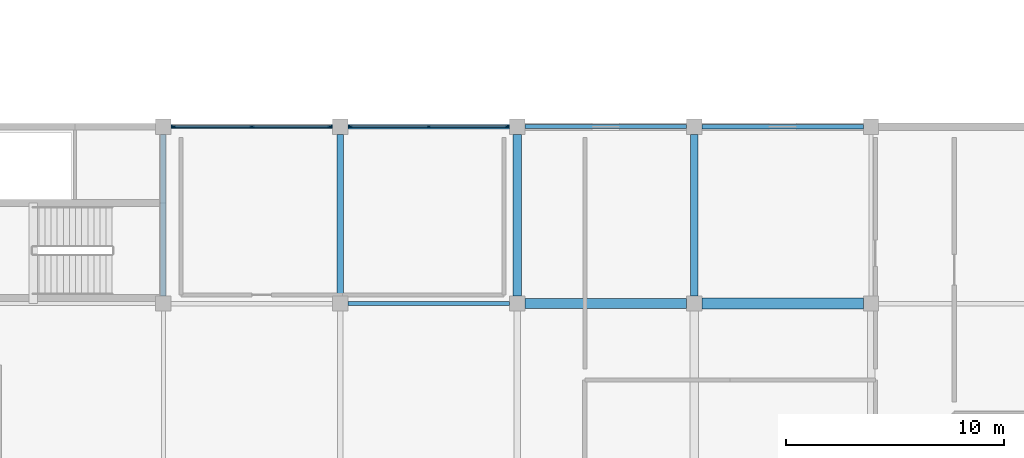
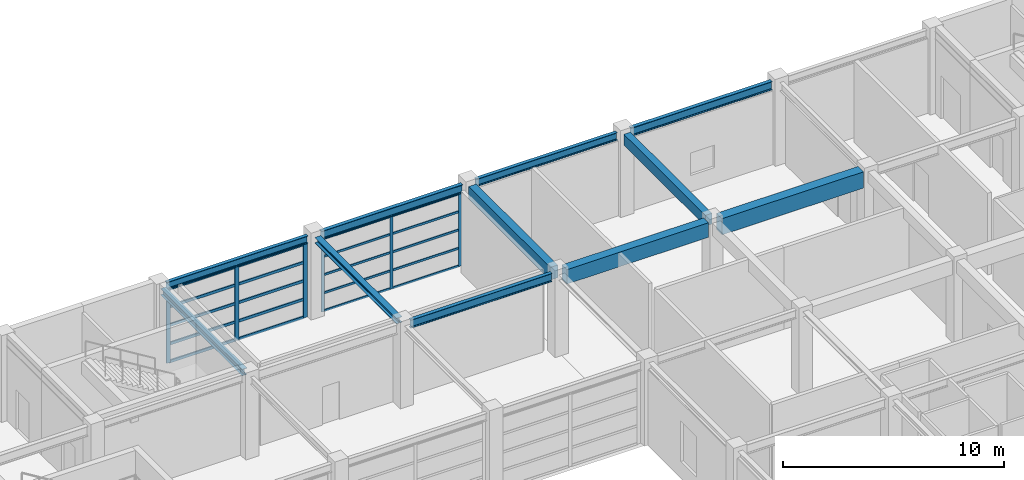
# One storey, part 34 of 58: 26 members, 11 beams, 2 elements without a shape of their own.
"""IFC4 building model written with IfcOpenShell, lengths in metres."""

from ifc_helpers import new_model, si_unit, direction, frame, origin, origin_2d, place, context, subcontext, project, spatial, rectangle, i_section, extrude, material, material_profile, profile_set, type_object, element, aggregate, save


model = new_model("IFC4")

# Units and contexts
model_context = context("Model", 3, precision=1e-05, world=origin(), true_north=direction((0.0, 1.0)))
body_context = subcontext(model_context, "Body", "Model", "MODEL_VIEW")
ifc_project = project(units=[si_unit("LENGTHUNIT", "METRE"), si_unit("AREAUNIT", "SQUARE_METRE"), si_unit("VOLUMEUNIT", "CUBIC_METRE"), si_unit("PLANEANGLEUNIT", "RADIAN"), si_unit("MASSUNIT", "GRAM", prefix="KILO")], contexts=[model_context])

# Site, building, storey
site_placement = place(None, origin())
site = spatial("IfcSite", under=ifc_project, at=site_placement, CompositionType="ELEMENT")
building_placement = place(site_placement, origin())
building = spatial("IfcBuilding", under=site, at=building_placement, Name="Parian Resonance Hall", CompositionType="ELEMENT")
storey_placement = place(building_placement, frame((0.0, 0.0, 10.199951171875)))
storey = spatial("IfcBuildingStorey", under=building, at=storey_placement, Name="L02", CompositionType="ELEMENT", Elevation=10.199951171875)

# Beams
ifc_material_1 = material(Name="Concrete C40/50", Category="concrete")
ifc_material_profile_1 = material_profile(ifc_material_1, rectangle(XDim=0.35009765625, YDim=0.60009765625, at=origin_2d()), Name="RC-BM-350x600")
ifc_profile_set_1 = profile_set([ifc_material_profile_1], Name="Concrete C40/50")
beam_type_1 = type_object("IfcBeamType", Name="BM-RC350x600", PredefinedType="BEAM", material=ifc_profile_set_1)
beam_1_placement = place(storey_placement, frame((121.5, 81.35009765625, 4.25), z_axis=(0.0, 1.0, 0.0), x_axis=(-1.0, 0.0, 0.0)))
element("IfcBeam", 1, at=beam_1_placement, inside=storey, type_object=beam_type_1, Name="GY-L02-0796", PredefinedType="BEAM", context=body_context, shape_type="SweptSolid", body=[
    extrude(rectangle(XDim=0.35009765625, YDim=0.60009765625, at=origin_2d()), origin(), (0.0, 0.0, 1.0), 7.39990234375),
])
ifc_material_2 = material(Name="Concrete C40/50", Category="concrete")
ifc_material_profile_2 = material_profile(ifc_material_2, rectangle(XDim=0.39990234375, YDim=0.699951171875, at=origin_2d()), Name="RC-BM-400x700")
ifc_profile_set_2 = profile_set([ifc_material_profile_2], Name="Concrete C40/50")
beam_type_2 = type_object("IfcBeamType", Name="BM-RC400x700", PredefinedType="BEAM", material=ifc_profile_set_2)
beam_2_placement = place(storey_placement, frame((113.39990234375, 81.35009765625, 4.16015625), z_axis=(0.0, 1.0, 0.0), x_axis=(-1.0, 0.0, 0.0)))
element("IfcBeam", 2, at=beam_2_placement, inside=storey, type_object=beam_type_2, Name="GY-L02-0787", PredefinedType="BEAM", context=body_context, shape_type="SweptSolid", body=[
    extrude(rectangle(XDim=0.39990234375, YDim=0.699951171875, at=origin_2d()), origin(), (0.0, 0.0, 1.0), 7.39990234375),
])
ifc_material_3 = material(Name="Concrete C40/50", Category="concrete")
ifc_material_profile_3 = material_profile(ifc_material_3, rectangle(XDim=0.449951171875, YDim=0.800048828125, at=origin_2d()), Name="RC-BM-450x800")
ifc_profile_set_3 = profile_set([ifc_material_profile_3], Name="Concrete C40/50")
beam_type_3 = type_object("IfcBeamType", Name="BM-RC450x800", PredefinedType="USERDEFINED", material=ifc_profile_set_3)
beam_3_placement = place(storey_placement, frame((113.75, 81.0, 4.150146484375), z_axis=(1.0, 0.0, 0.0), x_axis=(0.0, 1.0, 0.0)))
element("IfcBeam", 3, at=beam_3_placement, inside=storey, type_object=beam_type_3, Name="GX-L02-0720", ObjectType="GIRDER", PredefinedType="USERDEFINED", context=body_context, shape_type="SweptSolid", body=[
    extrude(rectangle(XDim=0.449951171875, YDim=0.800048828125, at=origin_2d()), origin(), (0.0, 0.0, 1.0), 7.39990234375),
])
ifc_material_4 = material(Name="Concrete C40/50", Category="concrete")
ifc_material_profile_4 = material_profile(ifc_material_4, rectangle(XDim=0.5, YDim=0.89990234375, at=origin_2d()), Name="RC-BM-500x900")
ifc_profile_set_4 = profile_set([ifc_material_profile_4], Name="Concrete C40/50")
beam_type_4 = type_object("IfcBeamType", Name="BM-RC500x900", PredefinedType="USERDEFINED", material=ifc_profile_set_4)
beam_4_placement = place(storey_placement, frame((121.85009765625, 81.0, 4.10009765625), z_axis=(1.0, 0.0, 0.0), x_axis=(0.0, 1.0, 0.0)))
element("IfcBeam", 4, at=beam_4_placement, inside=storey, type_object=beam_type_4, Name="GX-L02-0726", ObjectType="GIRDER", PredefinedType="USERDEFINED", context=body_context, shape_type="SweptSolid", body=[
    extrude(rectangle(XDim=0.5, YDim=0.89990234375, at=origin_2d()), origin(), (0.0, 0.0, 1.0), 7.39990234375),
])
ifc_material_5 = material(Name="Steel S355", Category="steel")
ifc_material_profile_5 = material_profile(ifc_material_5, i_section(OverallWidth=0.304931640625, OverallDepth=0.30810546875, WebThickness=0.010009765625, FlangeThickness=0.015380859375, FilletRadius=0.01513671875, at=origin_2d()), Name="W310x97")
ifc_profile_set_5 = profile_set([ifc_material_profile_5], Name="Steel S355")
beam_type_5 = type_object("IfcBeamType", Name="BM-W310x97", PredefinedType="BEAM", material=ifc_profile_set_5)
beam_5_placement = place(storey_placement, frame((105.300048828125, 81.35009765625, 4.35595703125), z_axis=(0.0, 1.0, 0.0), x_axis=(-1.0, 0.0, 0.0)))
element("IfcBeam", 5, at=beam_5_placement, inside=storey, type_object=beam_type_5, Name="GY-L02-0776", PredefinedType="BEAM", context=body_context, shape_type="SweptSolid", body=[
    extrude(i_section(OverallWidth=0.304931640625, OverallDepth=0.30810546875, WebThickness=0.010009765625, FlangeThickness=0.015380859375, FilletRadius=0.01513671875, at=origin_2d()), origin(), (0.0, 0.0, 1.0), 7.39990234375),
])
ifc_material_6 = material(Name="Steel S355", Category="steel")
ifc_material_profile_6 = material_profile(ifc_material_6, i_section(OverallWidth=0.2548828125, OverallDepth=0.35693359375, WebThickness=0.010498046875, FlangeThickness=0.018310546875, FilletRadius=0.01513671875, at=origin_2d()), Name="W360x101")
ifc_profile_set_6 = profile_set([ifc_material_profile_6], Name="Steel S355")
beam_type_6 = type_object("IfcBeamType", Name="BM-W360x101", PredefinedType="SPANDREL", material=ifc_profile_set_6)
beam_6_placement = place(storey_placement, frame((97.199951171875, 81.35009765625, 4.33154296875), z_axis=(0.0, 1.0, 0.0), x_axis=(-1.0, 0.0, 0.0)))
element("IfcBeam", 6, at=beam_6_placement, inside=storey, type_object=beam_type_6, Name="GY-L02-0771", PredefinedType="SPANDREL", context=body_context, shape_type="SweptSolid", body=[
    extrude(i_section(OverallWidth=0.2548828125, OverallDepth=0.35693359375, WebThickness=0.010498046875, FlangeThickness=0.018310546875, FilletRadius=0.01513671875, at=origin_2d()), origin(), (0.0, 0.0, 1.0), 7.39990234375),
])
ifc_material_7 = material(Name="Steel S355", Category="steel")
ifc_material_profile_7 = material_profile(ifc_material_7, i_section(OverallWidth=0.180908203125, OverallDepth=0.4169921875, WebThickness=0.010986328125, FlangeThickness=0.018310546875, FilletRadius=0.01513671875, at=origin_2d()), Name="W410x85")
ifc_profile_set_7 = profile_set([ifc_material_profile_7], Name="Steel S355")
beam_type_7 = type_object("IfcBeamType", Name="BM-W410x85", PredefinedType="SPANDREL", material=ifc_profile_set_7)
for number, where, z_axis, x_axis, name in (
    (7, (97.550048828125, 89.10009765625, 4.301513671875), (1.0, 0.0, 0.0), (0.0, 1.0, 0.0), "GX-L02-0704"),
    (8, (113.75, 89.10009765625, 4.341552734375), (1.0, 0.0, 0.0), (0.0, 1.0, 0.0), "GX-L02-0721"),
):
    element("IfcBeam", number, at=place(storey_placement, frame(where, z_axis=z_axis, x_axis=x_axis)), inside=storey, type_object=beam_type_7, Name=name, PredefinedType="SPANDREL", context=body_context, shape_type="SweptSolid", body=[
        extrude(i_section(OverallWidth=0.180908203125, OverallDepth=0.4169921875, WebThickness=0.010986328125, FlangeThickness=0.018310546875, FilletRadius=0.01513671875, at=origin_2d()), origin(), (0.0, 0.0, 1.0), 7.39990234375),
    ])
ifc_material_8 = material(Name="Steel S355", Category="steel")
ifc_material_profile_8 = material_profile(ifc_material_8, i_section(OverallWidth=0.194091796875, OverallDepth=0.468994140625, WebThickness=0.0126953125, FlangeThickness=0.0205078125, FilletRadius=0.01513671875, at=origin_2d()), Name="W460x106")
ifc_profile_set_8 = profile_set([ifc_material_profile_8], Name="Steel S355")
beam_type_8 = type_object("IfcBeamType", Name="BM-W460x106", PredefinedType="SPANDREL", material=ifc_profile_set_8)
beam_7_placement = place(storey_placement, frame((105.64990234375, 89.10009765625, 4.275634765625), z_axis=(1.0, 0.0, 0.0), x_axis=(0.0, 1.0, 0.0)))
element("IfcBeam", 9, at=beam_7_placement, inside=storey, type_object=beam_type_8, Name="GX-L02-0711", PredefinedType="SPANDREL", context=body_context, shape_type="SweptSolid", body=[
    extrude(i_section(OverallWidth=0.194091796875, OverallDepth=0.468994140625, WebThickness=0.0126953125, FlangeThickness=0.0205078125, FilletRadius=0.01513671875, at=origin_2d()), origin(), (0.0, 0.0, 1.0), 7.400146484375),
])
beam_8_placement = place(storey_placement, frame((121.85009765625, 89.10009765625, 4.3154296875), z_axis=(1.0, 0.0, 0.0), x_axis=(0.0, 1.0, 0.0)))
element("IfcBeam", 10, at=beam_8_placement, inside=storey, type_object=beam_type_8, Name="GX-L02-0727", PredefinedType="SPANDREL", context=body_context, shape_type="SweptSolid", body=[
    extrude(i_section(OverallWidth=0.194091796875, OverallDepth=0.468994140625, WebThickness=0.0126953125, FlangeThickness=0.0205078125, FilletRadius=0.01513671875, at=origin_2d()), origin(), (0.0, 0.0, 1.0), 7.39990234375),
])
ifc_material_9 = material(Name="Steel S355", Category="steel")
ifc_material_profile_9 = material_profile(ifc_material_9, i_section(OverallWidth=0.19091796875, OverallDepth=0.4599609375, WebThickness=0.010009765625, FlangeThickness=0.01611328125, FilletRadius=0.01513671875, at=origin_2d()), Name="W460x82")
ifc_profile_set_9 = profile_set([ifc_material_profile_9], Name="Steel S355")
beam_type_9 = type_object("IfcBeamType", Name="BM-W460x82", PredefinedType="BEAM", material=ifc_profile_set_9)
beam_9_placement = place(storey_placement, frame((105.64990234375, 81.0, 4.280029296875), z_axis=(1.0, 0.0, 0.0), x_axis=(0.0, 1.0, 0.0)))
element("IfcBeam", 11, at=beam_9_placement, inside=storey, type_object=beam_type_9, Name="GX-L02-0710", PredefinedType="BEAM", context=body_context, shape_type="SweptSolid", body=[
    extrude(i_section(OverallWidth=0.19091796875, OverallDepth=0.4599609375, WebThickness=0.010009765625, FlangeThickness=0.01611328125, FilletRadius=0.01513671875, at=origin_2d()), origin(), (0.0, 0.0, 1.0), 7.400146484375),
])

# Curtain wall, members
ifc_material_10 = material(Name="Bronze-anodised aluminium frame", Category="aluminium")
curtain_wall_type_1 = type_object("IfcCurtainWallType", Name="CW-SYS-03", PredefinedType="NOTDEFINED", material=ifc_material_10)
curtain_wall_1_placement = place(storey_placement, origin())
curtain_wall_1 = element("IfcCurtainWall", 12, at=curtain_wall_1_placement, inside=storey, type_object=curtain_wall_type_1, Name="Curtain wall CW-L02-105", PredefinedType="NOTDEFINED")
ifc_material_11 = material(Name="Bronze-anodised aluminium frame", Category="aluminium")
ifc_material_profile_10 = material_profile(ifc_material_11, rectangle(XDim=0.06494140625, YDim=0.159912109375, at=origin_2d()), Name="CWM-65x160")
ifc_profile_set_10 = profile_set([ifc_material_profile_10], Name="Bronze-anodised aluminium frame")
member_type_1 = type_object("IfcMemberType", Name="CWM-65x160", PredefinedType="MULLION", material=ifc_profile_set_10)
member_1_placement = place(storey_placement, frame((105.762451171875, 89.10009765625, -0.008056640625), z_axis=(0.0, 0.0, 1.0), x_axis=(0.0, 1.0, 0.0)))
member_1 = element("IfcMember", 13, at=member_1_placement, type_object=member_type_1, Name="CW-03 mullion 1", PredefinedType="MULLION", context=body_context, shape_type="SweptSolid", body=[
    extrude(rectangle(XDim=0.06494140625, YDim=0.159912109375, at=origin_2d()), origin(), (0.0, 0.0, 1.0), 4.05322265625),
])
member_2_placement = place(storey_placement, frame((109.35009765625, 89.10009765625, -0.008056640625), z_axis=(0.0, 0.0, 1.0), x_axis=(0.0, 1.0, 0.0)))
member_2 = element("IfcMember", 14, at=member_2_placement, type_object=member_type_1, Name="CW-03 mullion 2", PredefinedType="MULLION", context=body_context, shape_type="SweptSolid", body=[
    extrude(rectangle(XDim=0.06494140625, YDim=0.159912109375, at=origin_2d()), origin(), (0.0, 0.0, 1.0), 4.05322265625),
])
member_3_placement = place(storey_placement, frame((112.9375, 89.10009765625, -0.008056640625), z_axis=(0.0, 0.0, 1.0), x_axis=(0.0, 1.0, 0.0)))
member_3 = element("IfcMember", 15, at=member_3_placement, type_object=member_type_1, Name="CW-03 mullion 3", PredefinedType="MULLION", context=body_context, shape_type="SweptSolid", body=[
    extrude(rectangle(XDim=0.06494140625, YDim=0.159912109375, at=origin_2d()), origin(), (0.0, 0.0, 1.0), 4.05322265625),
])

ifc_material_12 = material(Name="Bronze-anodised aluminium frame", Category="aluminium")
curtain_wall_type_2 = type_object("IfcCurtainWallType", Name="CW-SYS-02", PredefinedType="NOTDEFINED", material=ifc_material_12)
curtain_wall_2_placement = place(storey_placement, origin())
curtain_wall_2 = element("IfcCurtainWall", 16, at=curtain_wall_2_placement, inside=storey, type_object=curtain_wall_type_2, Name="Curtain wall CW-L02-102", PredefinedType="NOTDEFINED")
ifc_material_13 = material(Name="Bronze-anodised aluminium frame", Category="aluminium")
ifc_material_profile_11 = material_profile(ifc_material_13, rectangle(XDim=0.074951171875, YDim=0.199951171875, at=origin_2d()), Name="CWM-75x200")
ifc_profile_set_11 = profile_set([ifc_material_profile_11], Name="Bronze-anodised aluminium frame")
member_type_2 = type_object("IfcMemberType", Name="CWM-75x200", PredefinedType="MULLION", material=ifc_profile_set_11)
member_4_placement = place(storey_placement, frame((97.66748046875, 89.10009765625, -0.008056640625), z_axis=(0.0, 0.0, 1.0), x_axis=(0.0, 1.0, 0.0)))
member_4 = element("IfcMember", 17, at=member_4_placement, type_object=member_type_2, Name="CW-02 mullion 1", PredefinedType="MULLION", context=body_context, shape_type="SweptSolid", body=[
    extrude(rectangle(XDim=0.074951171875, YDim=0.199951171875, at=origin_2d()), origin(), (0.0, 0.0, 1.0), 4.105224609375),
])
member_5_placement = place(storey_placement, frame((101.25, 89.10009765625, -0.008056640625), z_axis=(0.0, 0.0, 1.0), x_axis=(0.0, 1.0, 0.0)))
member_5 = element("IfcMember", 18, at=member_5_placement, type_object=member_type_2, Name="CW-02 mullion 2", PredefinedType="MULLION", context=body_context, shape_type="SweptSolid", body=[
    extrude(rectangle(XDim=0.074951171875, YDim=0.199951171875, at=origin_2d()), origin(), (0.0, 0.0, 1.0), 4.105224609375),
])
member_6_placement = place(storey_placement, frame((104.83251953125, 89.10009765625, -0.008056640625), z_axis=(0.0, 0.0, 1.0), x_axis=(0.0, 1.0, 0.0)))
member_6 = element("IfcMember", 19, at=member_6_placement, type_object=member_type_2, Name="CW-02 mullion 3", PredefinedType="MULLION", context=body_context, shape_type="SweptSolid", body=[
    extrude(rectangle(XDim=0.074951171875, YDim=0.199951171875, at=origin_2d()), origin(), (0.0, 0.0, 1.0), 4.105224609375),
])

# Member
ifc_material_14 = material(Name="Bronze-anodised aluminium frame", Category="aluminium")
ifc_material_profile_12 = material_profile(ifc_material_14, rectangle(XDim=0.06494140625, YDim=0.1201171875, at=origin_2d()), Name="CWT-65x120")
ifc_profile_set_12 = profile_set([ifc_material_profile_12], Name="Bronze-anodised aluminium frame")
member_type_3 = type_object("IfcMemberType", Name="CWT-65x120", PredefinedType="USERDEFINED", material=ifc_profile_set_12)
member_7_placement = place(storey_placement, frame((105.794921875, 89.10009765625, 0.024658203125), z_axis=(1.0, 0.0, 0.0), x_axis=(0.0, 1.0, 0.0)))
member_7 = element("IfcMember", 20, at=member_7_placement, type_object=member_type_3, Name="CW-03 transom 1.1", ObjectType="TRANSOM", PredefinedType="USERDEFINED", context=body_context, shape_type="SweptSolid", body=[
    extrude(rectangle(XDim=0.06494140625, YDim=0.1201171875, at=origin_2d()), origin(), (0.0, 0.0, 1.0), 3.5224609375),
])

member_8_placement = place(storey_placement, frame((105.794921875, 89.10009765625, 1.0087890625), z_axis=(1.0, 0.0, 0.0), x_axis=(0.0, 1.0, 0.0)))
member_8 = element("IfcMember", 21, at=member_8_placement, type_object=member_type_3, Name="CW-03 transom 1.2", ObjectType="TRANSOM", PredefinedType="USERDEFINED", context=body_context, shape_type="SweptSolid", body=[
    extrude(rectangle(XDim=0.06494140625, YDim=0.1201171875, at=origin_2d()), origin(), (0.0, 0.0, 1.0), 3.5224609375),
])

member_9_placement = place(storey_placement, frame((105.794921875, 89.10009765625, 2.017578125), z_axis=(1.0, 0.0, 0.0), x_axis=(0.0, 1.0, 0.0)))
member_9 = element("IfcMember", 22, at=member_9_placement, type_object=member_type_3, Name="CW-03 transom 1.3", ObjectType="TRANSOM", PredefinedType="USERDEFINED", context=body_context, shape_type="SweptSolid", body=[
    extrude(rectangle(XDim=0.06494140625, YDim=0.1201171875, at=origin_2d()), origin(), (0.0, 0.0, 1.0), 3.5224609375),
])

member_10_placement = place(storey_placement, frame((105.794921875, 89.10009765625, 3.0263671875), z_axis=(1.0, 0.0, 0.0), x_axis=(0.0, 1.0, 0.0)))
member_10 = element("IfcMember", 23, at=member_10_placement, type_object=member_type_3, Name="CW-03 transom 1.4", ObjectType="TRANSOM", PredefinedType="USERDEFINED", context=body_context, shape_type="SweptSolid", body=[
    extrude(rectangle(XDim=0.06494140625, YDim=0.1201171875, at=origin_2d()), origin(), (0.0, 0.0, 1.0), 3.5224609375),
])

member_11_placement = place(storey_placement, frame((105.794921875, 89.10009765625, 4.012451171875), z_axis=(1.0, 0.0, 0.0), x_axis=(0.0, 1.0, 0.0)))
member_11 = element("IfcMember", 24, at=member_11_placement, type_object=member_type_3, Name="CW-03 transom 1.5", ObjectType="TRANSOM", PredefinedType="USERDEFINED", context=body_context, shape_type="SweptSolid", body=[
    extrude(rectangle(XDim=0.06494140625, YDim=0.1201171875, at=origin_2d()), origin(), (0.0, 0.0, 1.0), 3.5224609375),
])

member_12_placement = place(storey_placement, frame((109.382568359375, 89.10009765625, 0.024658203125), z_axis=(1.0, 0.0, 0.0), x_axis=(0.0, 1.0, 0.0)))
member_12 = element("IfcMember", 25, at=member_12_placement, type_object=member_type_3, Name="CW-03 transom 2.1", ObjectType="TRANSOM", PredefinedType="USERDEFINED", context=body_context, shape_type="SweptSolid", body=[
    extrude(rectangle(XDim=0.06494140625, YDim=0.1201171875, at=origin_2d()), origin(), (0.0, 0.0, 1.0), 3.5224609375),
])

member_13_placement = place(storey_placement, frame((109.382568359375, 89.10009765625, 1.0087890625), z_axis=(1.0, 0.0, 0.0), x_axis=(0.0, 1.0, 0.0)))
member_13 = element("IfcMember", 26, at=member_13_placement, type_object=member_type_3, Name="CW-03 transom 2.2", ObjectType="TRANSOM", PredefinedType="USERDEFINED", context=body_context, shape_type="SweptSolid", body=[
    extrude(rectangle(XDim=0.06494140625, YDim=0.1201171875, at=origin_2d()), origin(), (0.0, 0.0, 1.0), 3.5224609375),
])

member_14_placement = place(storey_placement, frame((109.382568359375, 89.10009765625, 2.017578125), z_axis=(1.0, 0.0, 0.0), x_axis=(0.0, 1.0, 0.0)))
member_14 = element("IfcMember", 27, at=member_14_placement, type_object=member_type_3, Name="CW-03 transom 2.3", ObjectType="TRANSOM", PredefinedType="USERDEFINED", context=body_context, shape_type="SweptSolid", body=[
    extrude(rectangle(XDim=0.06494140625, YDim=0.1201171875, at=origin_2d()), origin(), (0.0, 0.0, 1.0), 3.5224609375),
])

member_15_placement = place(storey_placement, frame((109.382568359375, 89.10009765625, 3.0263671875), z_axis=(1.0, 0.0, 0.0), x_axis=(0.0, 1.0, 0.0)))
member_15 = element("IfcMember", 28, at=member_15_placement, type_object=member_type_3, Name="CW-03 transom 2.4", ObjectType="TRANSOM", PredefinedType="USERDEFINED", context=body_context, shape_type="SweptSolid", body=[
    extrude(rectangle(XDim=0.06494140625, YDim=0.1201171875, at=origin_2d()), origin(), (0.0, 0.0, 1.0), 3.5224609375),
])

member_16_placement = place(storey_placement, frame((109.382568359375, 89.10009765625, 4.012451171875), z_axis=(1.0, 0.0, 0.0), x_axis=(0.0, 1.0, 0.0)))
member_16 = element("IfcMember", 29, at=member_16_placement, type_object=member_type_3, Name="CW-03 transom 2.5", ObjectType="TRANSOM", PredefinedType="USERDEFINED", context=body_context, shape_type="SweptSolid", body=[
    extrude(rectangle(XDim=0.06494140625, YDim=0.1201171875, at=origin_2d()), origin(), (0.0, 0.0, 1.0), 3.5224609375),
])

aggregate(curtain_wall_1, [member_1, member_2, member_3, member_7, member_8, member_9, member_10, member_11, member_12, member_13, member_14, member_15, member_16])

ifc_material_15 = material(Name="Bronze-anodised aluminium frame", Category="aluminium")
ifc_material_profile_13 = material_profile(ifc_material_15, rectangle(XDim=0.074951171875, YDim=0.14990234375, at=origin_2d()), Name="CWT-75x150")
ifc_profile_set_13 = profile_set([ifc_material_profile_13], Name="Bronze-anodised aluminium frame")
member_type_4 = type_object("IfcMemberType", Name="CWT-75x150", PredefinedType="USERDEFINED", material=ifc_profile_set_13)
member_17_placement = place(storey_placement, frame((97.705078125, 89.10009765625, 0.029541015625), z_axis=(1.0, 0.0, 0.0), x_axis=(0.0, 1.0, 0.0)))
member_17 = element("IfcMember", 30, at=member_17_placement, type_object=member_type_4, Name="CW-02 transom 1.1", ObjectType="TRANSOM", PredefinedType="USERDEFINED", context=body_context, shape_type="SweptSolid", body=[
    extrude(rectangle(XDim=0.074951171875, YDim=0.14990234375, at=origin_2d()), origin(), (0.0, 0.0, 1.0), 3.50732421875),
])

member_18_placement = place(storey_placement, frame((97.705078125, 89.10009765625, 1.021728515625), z_axis=(1.0, 0.0, 0.0), x_axis=(0.0, 1.0, 0.0)))
member_18 = element("IfcMember", 31, at=member_18_placement, type_object=member_type_4, Name="CW-02 transom 1.2", ObjectType="TRANSOM", PredefinedType="USERDEFINED", context=body_context, shape_type="SweptSolid", body=[
    extrude(rectangle(XDim=0.074951171875, YDim=0.14990234375, at=origin_2d()), origin(), (0.0, 0.0, 1.0), 3.50732421875),
])

member_19_placement = place(storey_placement, frame((97.705078125, 89.10009765625, 2.04345703125), z_axis=(1.0, 0.0, 0.0), x_axis=(0.0, 1.0, 0.0)))
member_19 = element("IfcMember", 32, at=member_19_placement, type_object=member_type_4, Name="CW-02 transom 1.3", ObjectType="TRANSOM", PredefinedType="USERDEFINED", context=body_context, shape_type="SweptSolid", body=[
    extrude(rectangle(XDim=0.074951171875, YDim=0.14990234375, at=origin_2d()), origin(), (0.0, 0.0, 1.0), 3.50732421875),
])

member_20_placement = place(storey_placement, frame((97.705078125, 89.10009765625, 3.065185546875), z_axis=(1.0, 0.0, 0.0), x_axis=(0.0, 1.0, 0.0)))
member_20 = element("IfcMember", 33, at=member_20_placement, type_object=member_type_4, Name="CW-02 transom 1.4", ObjectType="TRANSOM", PredefinedType="USERDEFINED", context=body_context, shape_type="SweptSolid", body=[
    extrude(rectangle(XDim=0.074951171875, YDim=0.14990234375, at=origin_2d()), origin(), (0.0, 0.0, 1.0), 3.50732421875),
])

member_21_placement = place(storey_placement, frame((97.705078125, 89.10009765625, 4.0595703125), z_axis=(1.0, 0.0, 0.0), x_axis=(0.0, 1.0, 0.0)))
member_21 = element("IfcMember", 34, at=member_21_placement, type_object=member_type_4, Name="CW-02 transom 1.5", ObjectType="TRANSOM", PredefinedType="USERDEFINED", context=body_context, shape_type="SweptSolid", body=[
    extrude(rectangle(XDim=0.074951171875, YDim=0.14990234375, at=origin_2d()), origin(), (0.0, 0.0, 1.0), 3.50732421875),
])

member_22_placement = place(storey_placement, frame((101.28759765625, 89.10009765625, 0.029541015625), z_axis=(1.0, 0.0, 0.0), x_axis=(0.0, 1.0, 0.0)))
member_22 = element("IfcMember", 35, at=member_22_placement, type_object=member_type_4, Name="CW-02 transom 2.1", ObjectType="TRANSOM", PredefinedType="USERDEFINED", context=body_context, shape_type="SweptSolid", body=[
    extrude(rectangle(XDim=0.074951171875, YDim=0.14990234375, at=origin_2d()), origin(), (0.0, 0.0, 1.0), 3.50732421875),
])

member_23_placement = place(storey_placement, frame((101.28759765625, 89.10009765625, 1.021728515625), z_axis=(1.0, 0.0, 0.0), x_axis=(0.0, 1.0, 0.0)))
member_23 = element("IfcMember", 36, at=member_23_placement, type_object=member_type_4, Name="CW-02 transom 2.2", ObjectType="TRANSOM", PredefinedType="USERDEFINED", context=body_context, shape_type="SweptSolid", body=[
    extrude(rectangle(XDim=0.074951171875, YDim=0.14990234375, at=origin_2d()), origin(), (0.0, 0.0, 1.0), 3.50732421875),
])

member_24_placement = place(storey_placement, frame((101.28759765625, 89.10009765625, 2.04345703125), z_axis=(1.0, 0.0, 0.0), x_axis=(0.0, 1.0, 0.0)))
member_24 = element("IfcMember", 37, at=member_24_placement, type_object=member_type_4, Name="CW-02 transom 2.3", ObjectType="TRANSOM", PredefinedType="USERDEFINED", context=body_context, shape_type="SweptSolid", body=[
    extrude(rectangle(XDim=0.074951171875, YDim=0.14990234375, at=origin_2d()), origin(), (0.0, 0.0, 1.0), 3.50732421875),
])

member_25_placement = place(storey_placement, frame((101.28759765625, 89.10009765625, 3.065185546875), z_axis=(1.0, 0.0, 0.0), x_axis=(0.0, 1.0, 0.0)))
member_25 = element("IfcMember", 38, at=member_25_placement, type_object=member_type_4, Name="CW-02 transom 2.4", ObjectType="TRANSOM", PredefinedType="USERDEFINED", context=body_context, shape_type="SweptSolid", body=[
    extrude(rectangle(XDim=0.074951171875, YDim=0.14990234375, at=origin_2d()), origin(), (0.0, 0.0, 1.0), 3.50732421875),
])

member_26_placement = place(storey_placement, frame((101.28759765625, 89.10009765625, 4.0595703125), z_axis=(1.0, 0.0, 0.0), x_axis=(0.0, 1.0, 0.0)))
member_26 = element("IfcMember", 39, at=member_26_placement, type_object=member_type_4, Name="CW-02 transom 2.5", ObjectType="TRANSOM", PredefinedType="USERDEFINED", context=body_context, shape_type="SweptSolid", body=[
    extrude(rectangle(XDim=0.074951171875, YDim=0.14990234375, at=origin_2d()), origin(), (0.0, 0.0, 1.0), 3.50732421875),
])

aggregate(curtain_wall_2, [member_4, member_5, member_6, member_17, member_18, member_19, member_20, member_21, member_22, member_23, member_24, member_25, member_26])

save(model, "model.ifc")
